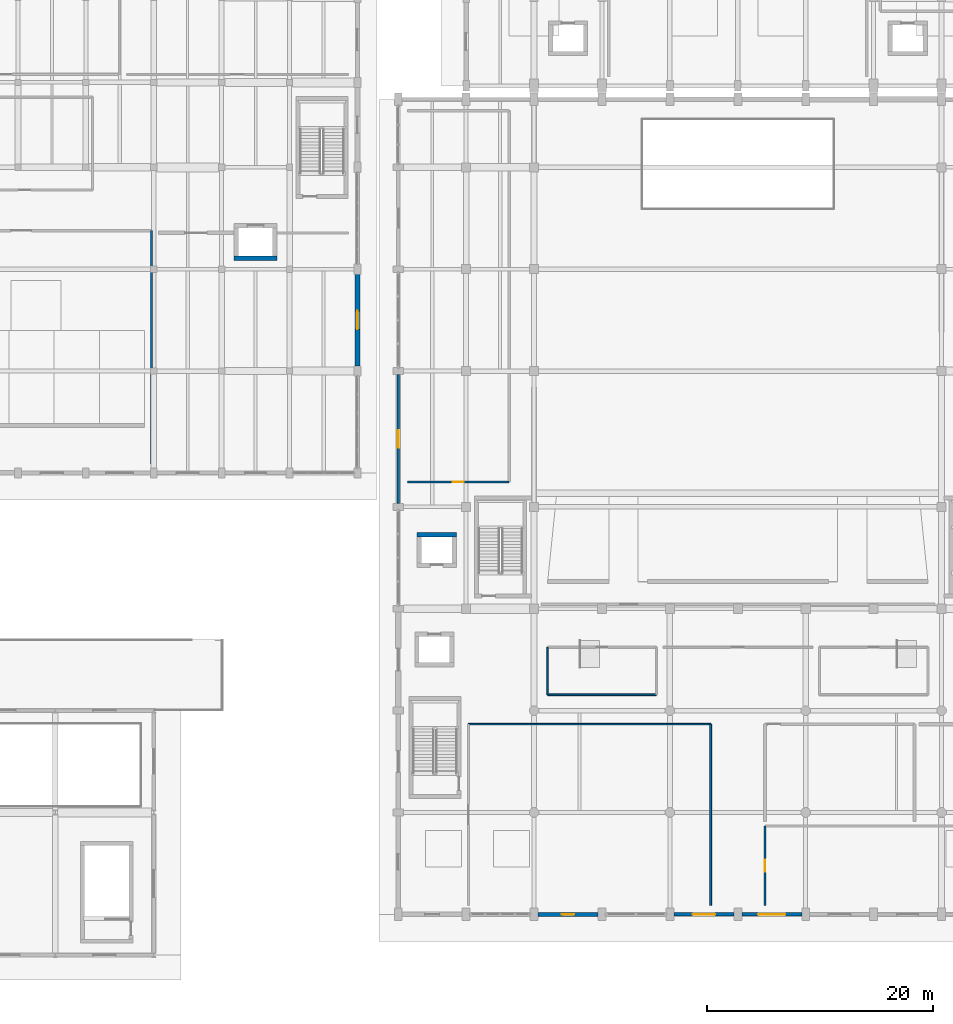
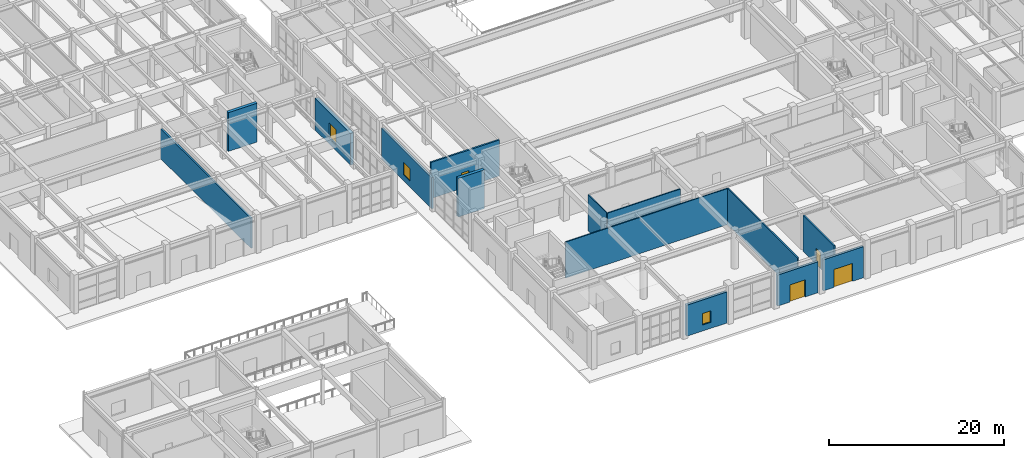
# One storey, part 70 of 91: 14 walls, 4 doors, 3 windows, 7 openings.
"""IFC4 building model written with IfcOpenShell, lengths in metres."""

from ifc_helpers import new_model, si_unit, direction, frame, frame_2d, origin, place, context, subcontext, project, spatial, rectangle, extrude, material, layer, layer_set, type_object, element, fill, save


model = new_model("IFC4")

# Units and contexts
model_context = context("Model", 3, precision=1e-05, world=origin(), true_north=direction((0.0, 1.0)))
body_context = subcontext(model_context, "Body", "Model", "MODEL_VIEW")
ifc_project = project(units=[si_unit("LENGTHUNIT", "METRE"), si_unit("AREAUNIT", "SQUARE_METRE"), si_unit("VOLUMEUNIT", "CUBIC_METRE"), si_unit("PLANEANGLEUNIT", "RADIAN"), si_unit("MASSUNIT", "GRAM", prefix="KILO")], contexts=[model_context])

# Site, building, storey
site_placement = place(None, origin())
site = spatial("IfcSite", under=ifc_project, at=site_placement, CompositionType="ELEMENT")
building_placement = place(site_placement, origin())
building = spatial("IfcBuilding", under=site, at=building_placement, Name="Vaelkrest Opera House", CompositionType="ELEMENT")
storey_placement = place(building_placement, origin())
storey = spatial("IfcBuildingStorey", under=building, at=storey_placement, Name="L00", CompositionType="ELEMENT", Elevation=0.0)

# Wall, opening, window
ifc_material_1 = material(Name="Douglas fir glulam GL28h", Category="wood")
ifc_layer_1 = layer(ifc_material_1, 0.2548828125)
ifc_layer_set_1 = layer_set([ifc_layer_1], Name="Douglas fir glulam GL28h")
wall_type_1 = type_object("IfcWallType", Name="EW01", PredefinedType="STANDARD", material=ifc_layer_set_1)
wall_1_placement = place(storey_placement, frame((-30.0, -19.501953125, 0.0), z_axis=(0.0, 0.0, 1.0), x_axis=(0.0, 1.0, 0.0)))
wall_1 = element("IfcWall", 1, at=wall_1_placement, inside=storey, type_object=wall_type_1, Name="Exterior facade wall EW-V1-L00-0011", PredefinedType="STANDARD", context=body_context, shape_type="SweptSolid", body=[
    extrude(rectangle(XDim=11.404052734375, YDim=0.2548828125, at=frame_2d((5.7021484375, 0.0))), origin(), (0.0, 0.0, 1.0), 4.320068359375),
])
opening_1_placement = place(wall_1_placement, frame((4.927001953125, 0.0, 0.85009765625)))
opening_1 = element("IfcOpeningElement", 2, at=opening_1_placement, cuts=wall_1, Name="Opening WN004", PredefinedType="OPENING", context=body_context, shape_type="SweptSolid", body=[
    extrude(rectangle(XDim=1.550048828125, YDim=1.75, at=frame_2d((0.77490234375, 0.875))), frame((0.0, 0.137451171875, 0.0), z_axis=(0.0, -1.0, 0.0), x_axis=(1.0, 0.0, 0.0)), (0.0, 0.0, 1.0), 0.27490234375),
])
ifc_material_2 = material(Name="Double low-E insulated glazing", Category="glass")
window_type_1 = type_object("IfcWindowType", Name="WT04", PartitioningType="SINGLE_PANEL", PredefinedType="WINDOW", material=ifc_material_2)
window_1_placement = place(opening_1_placement, origin())
window_1 = element("IfcWindow", 3, at=window_1_placement, inside=storey, type_object=window_type_1, Name="Facade window WN004", OverallHeight=1.75, OverallWidth=1.550048828125, PartitioningType="SINGLE_PANEL", PredefinedType="WINDOW", context=body_context, shape_type="SweptSolid", body=[
    extrude(rectangle(XDim=1.550048828125, YDim=1.75, at=frame_2d((0.77490234375, 0.875))), frame((0.0, 0.030029296875, 0.0), z_axis=(0.0, -1.0, 0.0), x_axis=(1.0, 0.0, 0.0)), (0.0, 0.0, 1.0), 0.06005859375),
])
fill(opening_1, window_1)

# Wall, opening, door
ifc_material_3 = material(Name="American black walnut acoustic timber", Category="wood")
ifc_layer_2 = layer(ifc_material_3, 0.31494140625)
ifc_layer_set_2 = layer_set([ifc_layer_2], Name="American black walnut acoustic timber")
wall_type_2 = type_object("IfcWallType", Name="EW04", PredefinedType="STANDARD", material=ifc_layer_set_2)
wall_2_placement = place(storey_placement, frame((5.652099609375, -55.800048828125, 0.0), z_axis=(0.0, 0.0, 1.0), x_axis=(-1.0, 0.0, 0.0)))
wall_2 = element("IfcWall", 4, at=wall_2_placement, inside=storey, type_object=wall_type_2, Name="Exterior facade wall EW-V1-L00-0004", PredefinedType="STANDARD", context=body_context, shape_type="SweptSolid", body=[
    extrude(rectangle(XDim=5.30419921875, YDim=0.31494140625, at=frame_2d((2.652099609375, 0.0))), origin(), (0.0, 0.0, 1.0), 4.320068359375),
])
opening_2_placement = place(wall_2_placement, frame((1.451904296875, 0.0, 0.0)))
opening_2 = element("IfcOpeningElement", 5, at=opening_2_placement, cuts=wall_2, Name="Opening ED04", PredefinedType="OPENING", context=body_context, shape_type="SweptSolid", body=[
    extrude(rectangle(XDim=2.39990234375, YDim=2.5, at=frame_2d((1.199951171875, 1.25))), frame((0.0, 0.16748046875, 0.0), z_axis=(0.0, -1.0, 0.0), x_axis=(1.0, 0.0, 0.0)), (0.0, 0.0, 1.0), 0.3349609375),
])
ifc_material_4 = material(Name="Dark bronze anodized aluminium", Category="aluminium")
door_type_1 = type_object("IfcDoorType", Name="EDT08", OperationType="DOUBLE_DOOR_SINGLE_SWING", PredefinedType="DOOR", material=ifc_material_4)
door_1_placement = place(opening_2_placement, origin())
door_1 = element("IfcDoor", 6, at=door_1_placement, inside=storey, type_object=door_type_1, Name="Exterior exit door ED04", OperationType="DOUBLE_DOOR_SINGLE_SWING", OverallHeight=2.5, OverallWidth=2.39990234375, PredefinedType="DOOR", context=body_context, shape_type="SweptSolid", body=[
    extrude(rectangle(XDim=2.39990234375, YDim=2.5, at=frame_2d((1.199951171875, 1.25))), frame((0.0, 0.02490234375, 0.0), z_axis=(0.0, -1.0, 0.0), x_axis=(1.0, 0.0, 0.0)), (0.0, 0.0, 1.0), 0.050048828125),
])
fill(opening_2, door_1)

ifc_layer_3 = layer(ifc_material_3, 0.3349609375)
ifc_layer_set_3 = layer_set([ifc_layer_3], Name="American black walnut acoustic timber")
wall_type_3 = type_object("IfcWallType", Name="EW05", PredefinedType="STANDARD", material=ifc_layer_set_3)
wall_3_placement = place(storey_placement, frame((-0.347900390625, -55.800048828125, 0.0), z_axis=(0.0, 0.0, 1.0), x_axis=(-1.0, 0.0, 0.0)))
wall_3 = element("IfcWall", 7, at=wall_3_placement, inside=storey, type_object=wall_type_3, Name="Exterior facade wall EW-V1-L00-0005", PredefinedType="STANDARD", context=body_context, shape_type="SweptSolid", body=[
    extrude(rectangle(XDim=5.30419921875, YDim=0.3349609375, at=frame_2d((2.652099609375, 0.0))), origin(), (0.0, 0.0, 1.0), 4.320068359375),
])
opening_3_placement = place(wall_3_placement, frame((1.652099609375, 0.0, 0.0)))
opening_3 = element("IfcOpeningElement", 8, at=opening_3_placement, cuts=wall_3, Name="Opening ED05", PredefinedType="OPENING", context=body_context, shape_type="SweptSolid", body=[
    extrude(rectangle(XDim=2.0, YDim=2.39990234375, at=frame_2d((1.0, 1.199951171875))), frame((0.0, 0.177490234375, 0.0), z_axis=(0.0, -1.0, 0.0), x_axis=(1.0, 0.0, 0.0)), (0.0, 0.0, 1.0), 0.35498046875),
])
door_type_2 = type_object("IfcDoorType", Name="EDT01", OperationType="DOUBLE_DOOR_SINGLE_SWING", PredefinedType="DOOR", material=ifc_material_4)
door_2_placement = place(opening_3_placement, origin())
door_2 = element("IfcDoor", 9, at=door_2_placement, inside=storey, type_object=door_type_2, Name="Exterior exit door ED05", OperationType="DOUBLE_DOOR_SINGLE_SWING", OverallHeight=2.39990234375, OverallWidth=2.0, PredefinedType="DOOR", context=body_context, shape_type="SweptSolid", body=[
    extrude(rectangle(XDim=2.0, YDim=2.39990234375, at=frame_2d((1.0, 1.199951171875))), frame((0.0, 0.02490234375, 0.0), z_axis=(0.0, -1.0, 0.0), x_axis=(1.0, 0.0, 0.0)), (0.0, 0.0, 1.0), 0.050048828125),
])
fill(opening_3, door_2)

# Wall, opening, window
ifc_layer_4 = layer(ifc_material_3, 0.360107421875)
ifc_layer_set_4 = layer_set([ifc_layer_4], Name="American black walnut acoustic timber")
wall_type_4 = type_object("IfcWallType", Name="EW06", PredefinedType="STANDARD", material=ifc_layer_set_4)
wall_4_placement = place(storey_placement, frame((-12.347900390625, -55.800048828125, 0.0), z_axis=(0.0, 0.0, 1.0), x_axis=(-1.0, 0.0, 0.0)))
wall_4 = element("IfcWall", 10, at=wall_4_placement, inside=storey, type_object=wall_type_4, Name="Exterior facade wall EW-V1-L00-0006", PredefinedType="STANDARD", context=body_context, shape_type="SweptSolid", body=[
    extrude(rectangle(XDim=5.30419921875, YDim=0.360107421875, at=frame_2d((2.652099609375, 0.0))), origin(), (0.0, 0.0, 1.0), 4.320068359375),
])
opening_4_placement = place(wall_4_placement, frame((2.10205078125, 0.0, 0.85009765625)))
opening_4 = element("IfcOpeningElement", 11, at=opening_4_placement, cuts=wall_4, Name="Opening WN001", PredefinedType="OPENING", context=body_context, shape_type="SweptSolid", body=[
    extrude(rectangle(XDim=1.10009765625, YDim=1.60009765625, at=frame_2d((0.550048828125, 0.800048828125))), frame((0.0, 0.18994140625, 0.0), z_axis=(0.0, -1.0, 0.0), x_axis=(1.0, 0.0, 0.0)), (0.0, 0.0, 1.0), 0.380126953125),
])
window_type_2 = type_object("IfcWindowType", Name="WT01", PartitioningType="SINGLE_PANEL", PredefinedType="WINDOW", material=ifc_material_2)
window_2_placement = place(opening_4_placement, origin())
window_2 = element("IfcWindow", 12, at=window_2_placement, inside=storey, type_object=window_type_2, Name="Facade window WN001", OverallHeight=1.60009765625, OverallWidth=1.10009765625, PartitioningType="SINGLE_PANEL", PredefinedType="WINDOW", context=body_context, shape_type="SweptSolid", body=[
    extrude(rectangle(XDim=1.10009765625, YDim=1.60009765625, at=frame_2d((0.550048828125, 0.800048828125))), frame((0.0, 0.030029296875, 0.0), z_axis=(0.0, -1.0, 0.0), x_axis=(1.0, 0.0, 0.0)), (0.0, 0.0, 1.0), 0.06005859375),
])
fill(opening_4, window_2)

ifc_material_5 = material(Name="Concrete C40/50", Category="concrete")
ifc_layer_5 = layer(ifc_material_5, 0.43505859375)
ifc_layer_set_5 = layer_set([ifc_layer_5], Name="Concrete C40/50")
wall_type_5 = type_object("IfcWallType", Name="EW09", PredefinedType="STANDARD", material=ifc_layer_set_5)
wall_5_placement = place(storey_placement, frame((-33.60009765625, 0.751953125, 0.0), z_axis=(0.0, 0.0, 1.0), x_axis=(0.0, -1.0, 0.0)))
wall_5 = element("IfcWall", 13, at=wall_5_placement, inside=storey, type_object=wall_type_5, Name="Exterior facade wall EW-V3-L00-0159", PredefinedType="STANDARD", context=body_context, shape_type="SweptSolid", body=[
    extrude(rectangle(XDim=8.10400390625, YDim=0.43505859375, at=frame_2d((4.052001953125, 0.0))), origin(), (0.0, 0.0, 1.0), 4.404052734375),
])
opening_5_placement = place(wall_5_placement, frame((3.22705078125, 0.0, 0.85009765625)))
opening_5 = element("IfcOpeningElement", 14, at=opening_5_placement, cuts=wall_5, Name="Opening WN067", PredefinedType="OPENING", context=body_context, shape_type="SweptSolid", body=[
    extrude(rectangle(XDim=1.64990234375, YDim=2.10009765625, at=frame_2d((0.824951171875, 1.050048828125))), frame((0.0, 0.2275390625, 0.0), z_axis=(0.0, -1.0, 0.0), x_axis=(1.0, 0.0, 0.0)), (0.0, 0.0, 1.0), 0.455078125),
])
window_type_3 = type_object("IfcWindowType", Name="WT15", PartitioningType="SINGLE_PANEL", PredefinedType="WINDOW", material=ifc_material_2)
window_3_placement = place(opening_5_placement, origin())
window_3 = element("IfcWindow", 15, at=window_3_placement, inside=storey, type_object=window_type_3, Name="Facade window WN067", OverallHeight=2.10009765625, OverallWidth=1.64990234375, PartitioningType="SINGLE_PANEL", PredefinedType="WINDOW", context=body_context, shape_type="SweptSolid", body=[
    extrude(rectangle(XDim=1.64990234375, YDim=2.10009765625, at=frame_2d((0.824951171875, 1.050048828125))), frame((0.0, 0.030029296875, 0.0), z_axis=(0.0, -1.0, 0.0), x_axis=(1.0, 0.0, 0.0)), (0.0, 0.0, 1.0), 0.06005859375),
])
fill(opening_5, window_3)

# Walls
ifc_material_6 = material(Name="Gypsum acoustic board", Category="gypsum")
ifc_layer_6 = layer(ifc_material_6, 0.1201171875)
ifc_layer_set_6 = layer_set([ifc_layer_6], Name="Gypsum acoustic board")
wall_type_6 = type_object("IfcWallType", Name="PT01", PredefinedType="PARTITIONING", material=ifc_layer_set_6)
wall_6_placement = place(storey_placement, frame((-16.800048828125, -36.39990234375, 0.0), z_axis=(0.0, 0.0, 1.0), x_axis=(0.0, 1.0, 0.0)))
element("IfcWall", 16, at=wall_6_placement, inside=storey, type_object=wall_type_6, Name="Interior partition PT-V1-L00-0043", PredefinedType="PARTITIONING", context=body_context, shape_type="SweptSolid", body=[
    extrude(rectangle(XDim=4.199951171875, YDim=0.1201171875, at=frame_2d((2.10009765625, 0.0))), origin(), (0.0, 0.0, 1.0), 5.02001953125),
])
ifc_layer_7 = layer(ifc_material_6, 0.135009765625)
ifc_layer_set_7 = layer_set([ifc_layer_7], Name="Gypsum acoustic board")
wall_type_7 = type_object("IfcWallType", Name="PT02", PredefinedType="PARTITIONING", material=ifc_layer_set_7)
wall_7_placement = place(storey_placement, frame((-23.800048828125, -39.0, 0.0), z_axis=(0.0, 0.0, 1.0), x_axis=(1.0, 0.0, 0.0)))
element("IfcWall", 17, at=wall_7_placement, inside=storey, type_object=wall_type_7, Name="Interior partition PT-V1-L00-0030", PredefinedType="PARTITIONING", context=body_context, shape_type="SweptSolid", body=[
    extrude(rectangle(XDim=21.400146484375, YDim=0.135009765625, at=frame_2d((10.7001953125, 0.0))), origin(), (0.0, 0.0, 1.0), 5.02001953125),
])
ifc_layer_8 = layer(ifc_material_6, 0.1650390625)
ifc_layer_set_8 = layer_set([ifc_layer_8], Name="Gypsum acoustic board")
wall_type_8 = type_object("IfcWallType", Name="PT04", PredefinedType="PARTITIONING", material=ifc_layer_set_8)
wall_8_placement = place(storey_placement, frame((-2.39990234375, -55.0, 0.0), z_axis=(0.0, 0.0, 1.0), x_axis=(0.0, 1.0, 0.0)))
element("IfcWall", 18, at=wall_8_placement, inside=storey, type_object=wall_type_8, Name="Interior partition PT-V1-L00-0032", PredefinedType="PARTITIONING", context=body_context, shape_type="SweptSolid", body=[
    extrude(rectangle(XDim=16.0, YDim=0.1650390625, at=frame_2d((8.0, 0.0))), origin(), (0.0, 0.0, 1.0), 5.02001953125),
])

# Wall, opening, door
ifc_layer_9 = layer(ifc_material_6, 0.195068359375)
ifc_layer_set_9 = layer_set([ifc_layer_9], Name="Gypsum acoustic board")
wall_type_9 = type_object("IfcWallType", Name="PT06", PredefinedType="PARTITIONING", material=ifc_layer_set_9)
wall_9_placement = place(storey_placement, frame((2.39990234375, -55.0, 0.0), z_axis=(0.0, 0.0, 1.0), x_axis=(0.0, 1.0, 0.0)))
wall_9 = element("IfcWall", 19, at=wall_9_placement, inside=storey, type_object=wall_type_9, Name="Interior partition PT-V1-L00-0034", PredefinedType="PARTITIONING", context=body_context, shape_type="SweptSolid", body=[
    extrude(rectangle(XDim=7.0, YDim=0.195068359375, at=frame_2d((3.5, 0.0))), origin(), (0.0, 0.0, 1.0), 5.02001953125),
])
opening_6_placement = place(wall_9_placement, frame((2.97998046875, 0.0, 0.0)))
opening_6 = element("IfcOpeningElement", 20, at=opening_6_placement, cuts=wall_9, Name="Opening D013", PredefinedType="OPENING", context=body_context, shape_type="SweptSolid", body=[
    extrude(rectangle(XDim=1.0400390625, YDim=2.199951171875, at=frame_2d((0.52001953125, 1.10009765625))), frame((0.0, 0.107421875, 0.0), z_axis=(0.0, -1.0, 0.0), x_axis=(1.0, 0.0, 0.0)), (0.0, 0.0, 1.0), 0.215087890625),
])
door_type_3 = type_object("IfcDoorType", Name="DT22", OperationType="NOTDEFINED", PredefinedType="DOOR", material=ifc_material_3)
door_3_placement = place(opening_6_placement, origin())
door_3 = element("IfcDoor", 21, at=door_3_placement, inside=storey, type_object=door_type_3, Name="Interior door D013 (Opera Cafe)", OperationType="SINGLE_SWING_LEFT", OverallHeight=2.199951171875, OverallWidth=1.0400390625, PredefinedType="DOOR", context=body_context, shape_type="SweptSolid", body=[
    extrude(rectangle(XDim=1.0400390625, YDim=2.199951171875, at=frame_2d((0.52001953125, 1.10009765625))), frame((0.0, 0.02490234375, 0.0), z_axis=(0.0, -1.0, 0.0), x_axis=(1.0, 0.0, 0.0)), (0.0, 0.0, 1.0), 0.050048828125),
])
fill(opening_6, door_3)

ifc_layer_10 = layer(ifc_material_3, 0.2099609375)
ifc_layer_set_10 = layer_set([ifc_layer_10], Name="American black walnut acoustic timber")
wall_type_10 = type_object("IfcWallType", Name="PT07", PredefinedType="PARTITIONING", material=ifc_layer_set_10)
wall_10_placement = place(storey_placement, frame((-29.199951171875, -17.60009765625, 0.0), z_axis=(0.0, 0.0, 1.0), x_axis=(1.0, 0.0, 0.0)))
wall_10 = element("IfcWall", 22, at=wall_10_placement, inside=storey, type_object=wall_type_10, Name="Interior partition PT-V1-L00-0049", PredefinedType="PARTITIONING", context=body_context, shape_type="SweptSolid", body=[
    extrude(rectangle(XDim=9.0, YDim=0.2099609375, at=frame_2d((4.5, 0.0))), origin(), (0.0, 0.0, 1.0), 5.02001953125),
])
opening_7_placement = place(wall_10_placement, frame((4.010009765625, 0.0, 0.0)))
opening_7 = element("IfcOpeningElement", 23, at=opening_7_placement, cuts=wall_10, Name="Opening D018", PredefinedType="OPENING", context=body_context, shape_type="SweptSolid", body=[
    extrude(rectangle(XDim=0.97998046875, YDim=2.14990234375, at=frame_2d((0.489990234375, 1.074951171875))), frame((0.0, 0.114990234375, 0.0), z_axis=(0.0, -1.0, 0.0), x_axis=(1.0, 0.0, 0.0)), (0.0, 0.0, 1.0), 0.22998046875),
])
door_type_4 = type_object("IfcDoorType", Name="DT03", OperationType="NOTDEFINED", PredefinedType="DOOR", material=ifc_material_3)
door_4_placement = place(opening_7_placement, origin())
door_4 = element("IfcDoor", 24, at=door_4_placement, inside=storey, type_object=door_type_4, Name="Interior door D018 (Community Room)", OperationType="SINGLE_SWING_RIGHT", OverallHeight=2.14990234375, OverallWidth=0.97998046875, PredefinedType="DOOR", context=body_context, shape_type="SweptSolid", body=[
    extrude(rectangle(XDim=0.97998046875, YDim=2.14990234375, at=frame_2d((0.489990234375, 1.074951171875))), frame((0.0, 0.02490234375, 0.0), z_axis=(0.0, -1.0, 0.0), x_axis=(1.0, 0.0, 0.0)), (0.0, 0.0, 1.0), 0.050048828125),
])
fill(opening_7, door_4)

# Walls
wall_11_placement = place(storey_placement, frame((-51.800048828125, -16.0, 0.0), z_axis=(0.0, 0.0, 1.0), x_axis=(0.0, 1.0, 0.0)))
element("IfcWall", 25, at=wall_11_placement, inside=storey, type_object=wall_type_10, Name="Interior partition PT-V3-L00-0277", PredefinedType="PARTITIONING", context=body_context, shape_type="SweptSolid", body=[
    extrude(rectangle(XDim=20.60009765625, YDim=0.2099609375, at=frame_2d((10.300048828125, 0.0))), origin(), (0.0, 0.0, 1.0), 4.1650390625),
])
ifc_layer_11 = layer(ifc_material_6, 0.14501953125)
ifc_layer_set_11 = layer_set([ifc_layer_11], Name="Gypsum acoustic board")
wall_type_11 = type_object("IfcWallType", Name="PT13", PredefinedType="PARTITIONING", material=ifc_layer_set_11)
wall_12_placement = place(storey_placement, frame((-16.800048828125, -36.39990234375, 0.0), z_axis=(0.0, 0.0, 1.0), x_axis=(1.0, 0.0, 0.0)))
element("IfcWall", 26, at=wall_12_placement, inside=storey, type_object=wall_type_11, Name="Interior partition PT-V1-L00-0041", PredefinedType="PARTITIONING", context=body_context, shape_type="SweptSolid", body=[
    extrude(rectangle(XDim=9.60009765625, YDim=0.14501953125, at=frame_2d((4.800048828125, 0.0))), origin(), (0.0, 0.0, 1.0), 5.02001953125),
])
ifc_material_7 = material(Name="Concrete C50/60", Category="concrete")
ifc_layer_12 = layer(ifc_material_7, 0.389892578125)
ifc_layer_set_12 = layer_set([ifc_layer_12], Name="Concrete C50/60")
wall_type_12 = type_object("IfcWallType", Name="SW02", PredefinedType="SHEAR", material=ifc_layer_set_12)
wall_13_placement = place(storey_placement, frame((-28.340087890625, -22.2548828125, 0.0), z_axis=(0.0, 0.0, 1.0), x_axis=(1.0, 0.0, 0.0)))
element("IfcWall", 27, at=wall_13_placement, inside=storey, type_object=wall_type_12, Name="Lift shaft LP01 wall L00 N", PredefinedType="SHEAR", context=body_context, shape_type="SweptSolid", body=[
    extrude(rectangle(XDim=3.47998046875, YDim=0.389892578125, at=frame_2d((1.739990234375, 0.0))), origin(), (0.0, 0.0, 1.0), 5.39990234375),
])
wall_14_placement = place(storey_placement, frame((-40.7099609375, 2.155029296875, 0.0), z_axis=(0.0, 0.0, 1.0), x_axis=(-1.0, 0.0, 0.0)))
element("IfcWall", 28, at=wall_14_placement, inside=storey, type_object=wall_type_12, Name="Lift shaft LP05 wall L00 S", PredefinedType="SHEAR", context=body_context, shape_type="SweptSolid", body=[
    extrude(rectangle(XDim=3.780029296875, YDim=0.389892578125, at=frame_2d((1.89013671875, 0.0))), origin(), (0.0, 0.0, 1.0), 5.39990234375),
])

save(model, "model.ifc")
